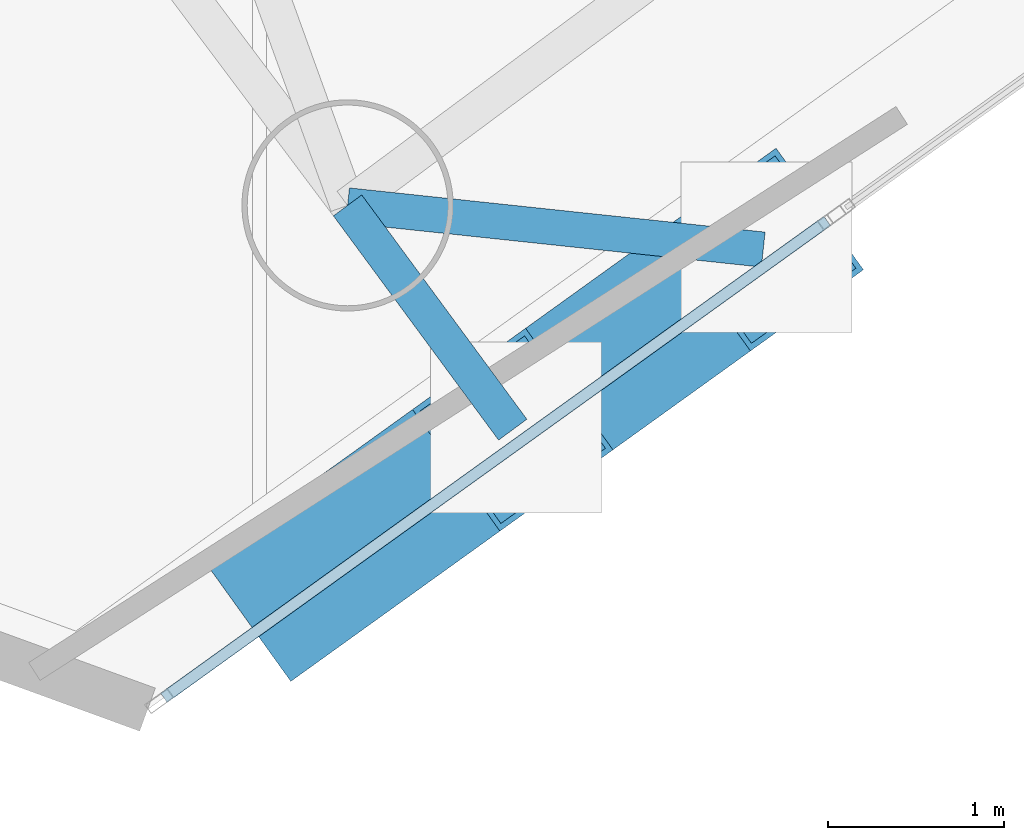
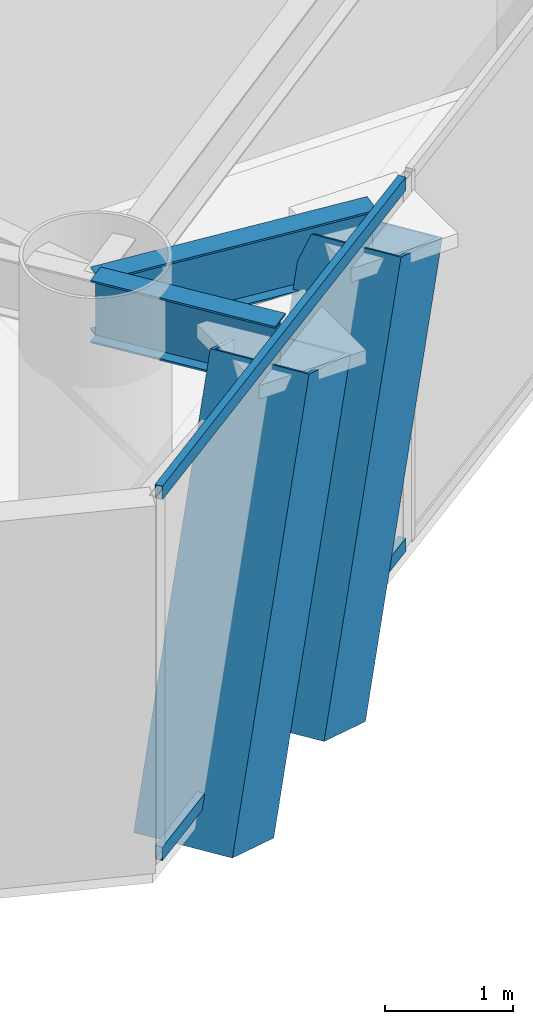
# One storey, part 3 of 22: 4 members, 2 beams, 1 element without a shape of its own.
"""IFC4 building model written with IfcOpenShell, lengths in metres."""

from ifc_helpers import new_model, si_unit, direction, frame, origin, origin_2d, place, context, subcontext, project, spatial, hollow_rectangle, i_section, extrude, material, layer, layer_set, material_profile, profile_set, type_object, element, aggregate, save


model = new_model("IFC4")

# Units and contexts
model_context = context("Model", 3, precision=1e-05, world=origin(), true_north=direction((0.0, 1.0)))
body_context = subcontext(model_context, "Body", "Model", "MODEL_VIEW")
ifc_project = project(units=[si_unit("LENGTHUNIT", "METRE"), si_unit("AREAUNIT", "SQUARE_METRE"), si_unit("VOLUMEUNIT", "CUBIC_METRE"), si_unit("PLANEANGLEUNIT", "RADIAN"), si_unit("MASSUNIT", "GRAM", prefix="KILO")], contexts=[model_context])

# Site, building, storey
site_placement = place(None, origin())
site = spatial("IfcSite", under=ifc_project, at=site_placement, CompositionType="ELEMENT")
building_placement = place(site_placement, origin())
building = spatial("IfcBuilding", under=site, at=building_placement, Name="Qianvela Tower", CompositionType="ELEMENT")
storey_placement = place(building_placement, frame((0.0, 0.0, 196.60009765625)))
storey = spatial("IfcBuildingStorey", under=building, at=storey_placement, Name="L50", CompositionType="ELEMENT", Elevation=196.60009765625)

# Beams
ifc_material_1 = material(Name="Steel Q355B", Category="steel")
ifc_material_profile_1 = material_profile(ifc_material_1, i_section(OverallWidth=0.199951171875, OverallDepth=0.60009765625, WebThickness=0.010986328125, FlangeThickness=0.01708984375, at=origin_2d()), Name="HN600x200x11x17")
ifc_profile_set_1 = profile_set([ifc_material_profile_1], Name="Steel Q355B")
beam_type = type_object("IfcBeamType", Name="BM-HN600-GIRD", PredefinedType="BEAM", material=ifc_profile_set_1)
beam_1_placement = place(storey_placement, frame((33.4130859375, 10.531005859375, 3.218017578125), z_axis=(0.593014791991, -0.805191565082, 0.0), x_axis=(0.805191565082, 0.593014791991, 0.0)))
element("IfcBeam", 1, at=beam_1_placement, inside=storey, type_object=beam_type, Name="L50 Mega-Brace Column Tie Bracket F3-1", PredefinedType="BEAM", context=body_context, shape_type="SweptSolid", body=[
    extrude(i_section(OverallWidth=0.199951171875, OverallDepth=0.60009765625, WebThickness=0.010986328125, FlangeThickness=0.01708984375, at=origin_2d()), origin(), (0.0, 0.0, 1.0), 1.58203125),
])
beam_2_placement = place(storey_placement, frame((33.4130859375, 10.531005859375, 3.218017578125), z_axis=(0.99439788472, -0.105701688087, 0.0), x_axis=(0.105701688087, 0.99439788472, 0.0)))
element("IfcBeam", 2, at=beam_2_placement, inside=storey, type_object=beam_type, Name="L50 Mega-Brace Column Tie Bracket F3-2", PredefinedType="BEAM", context=body_context, shape_type="SweptSolid", body=[
    extrude(i_section(OverallWidth=0.199951171875, OverallDepth=0.60009765625, WebThickness=0.010986328125, FlangeThickness=0.01708984375, at=origin_2d()), origin(), (0.0, 0.0, 1.0), 2.374267578125),
])

# Curtain wall, members
ifc_material_2 = material(Name="Anodised Architectural Aluminium and Insulated Spandrel Panel", Category="aluminium")
ifc_layer = layer(ifc_material_2, 0.179931640625)
ifc_layer_set = layer_set([ifc_layer], Name="Anodised Architectural Aluminium and Insulated Spandrel Panel")
curtain_wall_type = type_object("IfcCurtainWallType", Name="CW-BRACEBAY", PredefinedType="USERDEFINED", material=ifc_layer_set)
curtain_wall_placement = place(storey_placement, origin())
curtain_wall = element("IfcCurtainWall", 3, at=curtain_wall_placement, inside=storey, type_object=curtain_wall_type, Name="L50 CW-BRACEBAY Curtain Wall 06A", ObjectType="CURTAIN_WALL_SYSTEM", PredefinedType="USERDEFINED")
ifc_material_3 = material(Name="Anodised Architectural Aluminium 6063-T6", Category="aluminium")
ifc_material_profile_2 = material_profile(ifc_material_3, hollow_rectangle(XDim=0.06494140625, YDim=0.1298828125, WallThickness=0.00439453125, at=origin_2d()), Name="ALU-TRAN-65x130")
ifc_profile_set_2 = profile_set([ifc_material_profile_2], Name="Anodised Architectural Aluminium 6063-T6")
member_type_1 = type_object("IfcMemberType", Name="CW-BRACEBAY-TRAN", PredefinedType="USERDEFINED", material=ifc_profile_set_2)
member_1_placement = place(storey_placement, frame((32.369873046875, 7.734130859375, 0.032470703125), z_axis=(0.811959262677, 0.583714104467, 0.0), x_axis=(-0.583714104467, 0.811959262677, 0.0)))
member_1 = element("IfcMember", 4, at=member_1_placement, type_object=member_type_1, Name="CW-9 transom 1.1", ObjectType="TRANSOM", PredefinedType="USERDEFINED", context=body_context, shape_type="SweptSolid", body=[
    extrude(hollow_rectangle(XDim=0.06494140625, YDim=0.1298828125, WallThickness=0.00439453125, at=origin_2d()), origin(), (0.0, 0.0, 1.0), 4.64013671875),
])
member_2_placement = place(storey_placement, frame((32.369873046875, 7.734130859375, 3.4873046875), z_axis=(0.811959262677, 0.583714104467, 0.0), x_axis=(-0.583714104467, 0.811959262677, 0.0)))
member_2 = element("IfcMember", 5, at=member_2_placement, type_object=member_type_1, Name="CW-9 transom 1.2", ObjectType="TRANSOM", PredefinedType="USERDEFINED", context=body_context, shape_type="SweptSolid", body=[
    extrude(hollow_rectangle(XDim=0.06494140625, YDim=0.1298828125, WallThickness=0.00439453125, at=origin_2d()), origin(), (0.0, 0.0, 1.0), 4.64013671875),
])
aggregate(curtain_wall, [member_1, member_2])

# Members
ifc_material_4 = material(Name="Steel Q420GJC", Category="steel")
ifc_material_profile_3 = material_profile(ifc_material_4, hollow_rectangle(XDim=0.85009765625, YDim=0.85009765625, WallThickness=0.031982421875, at=origin_2d()), Name="MBOX-850x850x32")
ifc_profile_set_3 = profile_set([ifc_material_profile_3], Name="Steel Q420GJC")
member_type_2 = type_object("IfcMemberType", Name="MBR-MBRACE-850", PredefinedType="BRACE", material=ifc_profile_set_3)
member_3_placement = place(storey_placement, frame((33.16357421875, 8.4033203125, -0.482177734375), z_axis=(0.298515939556, 0.214575589029, 0.929970725573), x_axis=(-0.583666999858, 0.811993123909, 0.0)))
element("IfcMember", 6, at=member_3_placement, inside=storey, type_object=member_type_2, Name="L50 Tier 8 Exterior Mega-Brace F3A", PredefinedType="BRACE", context=body_context, shape_type="SweptSolid", body=[
    extrude(hollow_rectangle(XDim=0.85009765625, YDim=0.85009765625, WallThickness=0.031982421875, at=origin_2d()), origin(), (0.0, 0.0, 1.0), 3.978759765625),
])
member_4_placement = place(storey_placement, frame((34.5830078125, 9.423583984375, -0.482177734375), z_axis=(0.299254742913, 0.215164098819, 0.929597229677), x_axis=(-0.583769769099, 0.811919242712, 0.0)))
element("IfcMember", 7, at=member_4_placement, inside=storey, type_object=member_type_2, Name="L50 Tier 8 Exterior Mega-Brace F3B", PredefinedType="BRACE", context=body_context, shape_type="SweptSolid", body=[
    extrude(hollow_rectangle(XDim=0.85009765625, YDim=0.85009765625, WallThickness=0.031982421875, at=origin_2d()), origin(), (0.0, 0.0, 1.0), 3.98046875),
])

save(model, "model.ifc")
